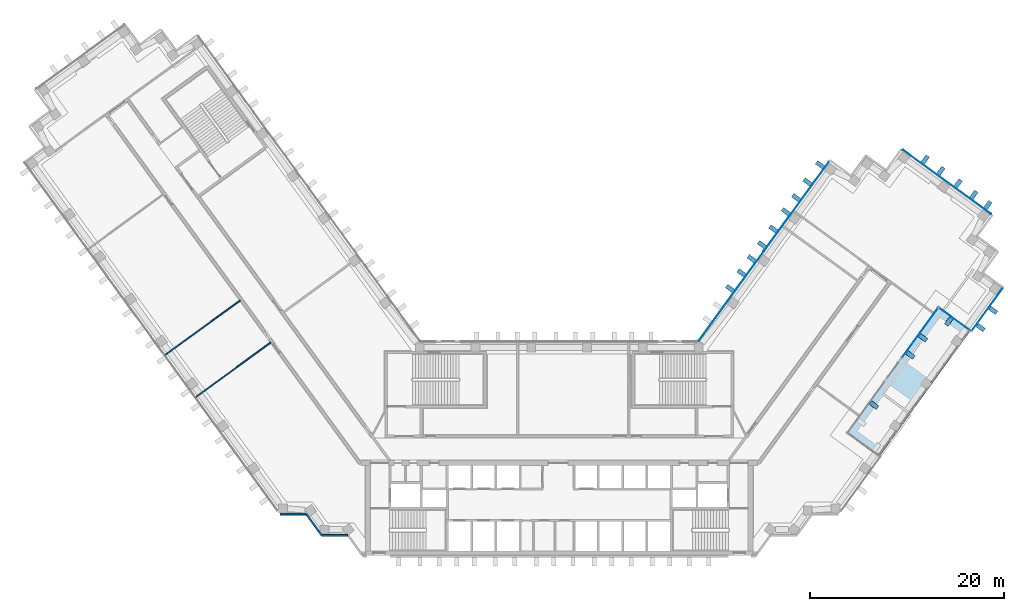
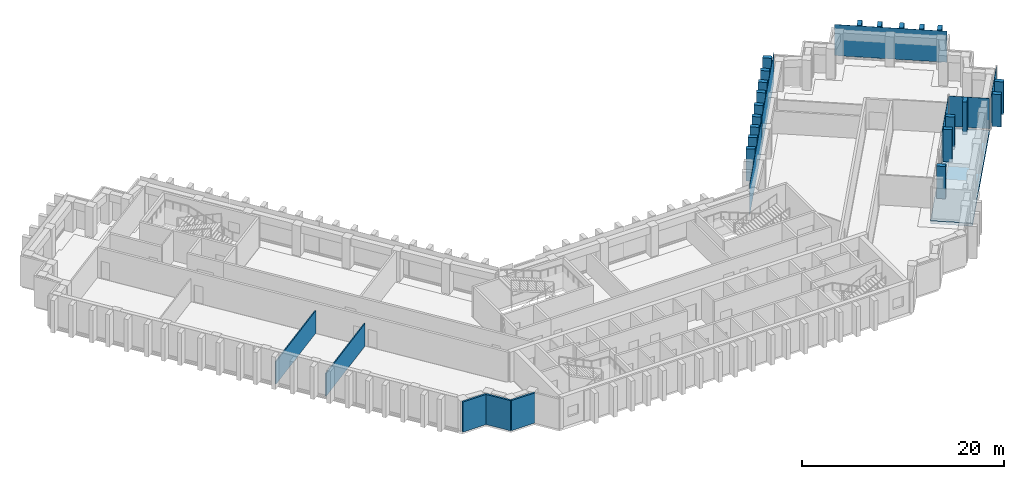
"""IFC4 building model written with IfcOpenShell, lengths in metres."""

from ifc_helpers import new_model, si_unit, direction, frame, frame_2d, origin, origin_2d, place, context, subcontext, project, spatial, polyline, rectangle, outline, extrude, material, layer, layer_set, type_object, element, aggregate, save


model = new_model("IFC4")

# Units and contexts
model_context = context("Model", 3, precision=1e-05, world=origin(), true_north=direction((0.0, 1.0)))
body_context = subcontext(model_context, "Body", "Model", "MODEL_VIEW")
ifc_project = project(units=[si_unit("LENGTHUNIT", "METRE"), si_unit("AREAUNIT", "SQUARE_METRE"), si_unit("VOLUMEUNIT", "CUBIC_METRE"), si_unit("PLANEANGLEUNIT", "RADIAN"), si_unit("MASSUNIT", "GRAM", prefix="KILO")], contexts=[model_context])

# Site, building, storey
site_placement = place(None, origin())
site = spatial("IfcSite", under=ifc_project, at=site_placement, CompositionType="ELEMENT")
building_placement = place(site_placement, origin())
building = spatial("IfcBuilding", under=site, at=building_placement, Name="Quipu Civic Tower", CompositionType="ELEMENT")
storey_1_placement = place(building_placement, frame((0.0, 0.0, 97.0)))
storey_1 = spatial("IfcBuildingStorey", under=building, at=storey_1_placement, Name="L22", CompositionType="ELEMENT", Elevation=97.0)

# Curtain wall, plate
ifc_material_1 = material(Name="Insulated glass unit", Category="glass")
curtain_wall_type = type_object("IfcCurtainWallType", Name="Office curtain wall CW1", PredefinedType="NOTDEFINED", material=ifc_material_1)
curtain_wall_1_placement = place(storey_1_placement, origin())
curtain_wall_1 = element("IfcCurtainWall", 1, at=curtain_wall_1_placement, inside=storey_1, type_object=curtain_wall_type, Name="Office curtain wall CW1 L22 run 5", PredefinedType="NOTDEFINED")
ifc_material_2 = material(Name="Insulated glass unit", Category="glass")
ifc_layer_1 = layer(ifc_material_2, 0.028076171875)
ifc_layer_set_1 = layer_set([ifc_layer_1], Name="Insulated glass unit")
plate_type_1 = type_object("IfcPlateType", Name="Glass panel CW1", PredefinedType="CURTAIN_PANEL", material=ifc_layer_set_1)
plate_1_placement = place(storey_1_placement, frame((37.244140625, 11.995849609375, 0.240234375), z_axis=(0.0, 0.0, 1.0), x_axis=(0.587778491936, 0.809021906018, 0.0)))
plate_1 = element("IfcPlate", 2, at=plate_1_placement, type_object=plate_type_1, Name="CW1 panel 1.1", PredefinedType="CURTAIN_PANEL", context=body_context, shape_type="SweptSolid", body=[
    extrude(rectangle(XDim=6.358642578125, YDim=0.028076171875, at=origin_2d()), origin(), (0.0, 0.0, 1.0), 3.679931640625),
])
aggregate(curtain_wall_1, [plate_1])

curtain_wall_2_placement = place(storey_1_placement, origin())
curtain_wall_2 = element("IfcCurtainWall", 3, at=curtain_wall_2_placement, inside=storey_1, type_object=curtain_wall_type, Name="Office curtain wall CW1 L22 run 6", PredefinedType="NOTDEFINED")
plate_2_placement = place(storey_1_placement, frame((40.85888671875, 13.398193359375, 0.240234375), z_axis=(0.0, 0.0, 1.0), x_axis=(0.809019129244, -0.587782313886, 0.0)))
plate_2 = element("IfcPlate", 4, at=plate_2_placement, type_object=plate_type_1, Name="CW1 panel 1.1", PredefinedType="CURTAIN_PANEL", context=body_context, shape_type="SweptSolid", body=[
    extrude(rectangle(XDim=4.0400390625, YDim=0.028076171875, at=origin_2d()), origin(), (0.0, 0.0, 1.0), 3.679931640625),
])
aggregate(curtain_wall_2, [plate_2])

curtain_wall_3_placement = place(storey_1_placement, origin())
curtain_wall_3 = element("IfcCurtainWall", 5, at=curtain_wall_3_placement, inside=storey_1, type_object=curtain_wall_type, Name="Office curtain wall CW1 L22 run 7", PredefinedType="NOTDEFINED")
plate_3_placement = place(storey_1_placement, frame((44.20361328125, 14.42919921875, 0.240234375), z_axis=(0.0, 0.0, 1.0), x_axis=(0.587793636059, 0.809010903145, 0.0)))
plate_3 = element("IfcPlate", 6, at=plate_3_placement, type_object=plate_type_1, Name="CW1 panel 1.1", PredefinedType="CURTAIN_PANEL", context=body_context, shape_type="SweptSolid", body=[
    extrude(rectangle(XDim=5.43994140625, YDim=0.028076171875, at=origin_2d()), origin(), (0.0, 0.0, 1.0), 3.679931640625),
])
aggregate(curtain_wall_3, [plate_3])

# Storey
storey_2_placement = place(building_placement, frame((0.0, 0.0, 101.0)))
storey_2 = spatial("IfcBuildingStorey", under=building, at=storey_2_placement, Name="L23", CompositionType="ELEMENT", Elevation=101.0)

# Curtain wall, plate
curtain_wall_4_placement = place(storey_2_placement, origin())
curtain_wall_4 = element("IfcCurtainWall", 7, at=curtain_wall_4_placement, inside=storey_2, type_object=curtain_wall_type, Name="Office curtain wall CW1 L22 run 31", PredefinedType="NOTDEFINED")
plate_4_placement = place(storey_1_placement, frame((40.04345703125, 27.58740234375, 0.240234375), z_axis=(0.0, 0.0, 1.0), x_axis=(-0.809015176832, 0.587787753918, 0.0)))
plate_4 = element("IfcPlate", 8, at=plate_4_placement, inside=storey_1, type_object=plate_type_1, Name="CW1 panel 1.1", PredefinedType="CURTAIN_PANEL", context=body_context, shape_type="SweptSolid", body=[
    extrude(rectangle(XDim=11.239990234375, YDim=0.028076171875, at=origin_2d()), origin(), (0.0, 0.0, 1.0), 3.760009765625),
])
aggregate(curtain_wall_4, [plate_4])

# Curtain wall, plates
curtain_wall_5_placement = place(storey_2_placement, origin())
curtain_wall_5 = element("IfcCurtainWall", 9, at=curtain_wall_5_placement, inside=storey_2, type_object=curtain_wall_type, Name="Office curtain wall CW1 L22 run 36", PredefinedType="NOTDEFINED")
plate_5_placement = place(storey_1_placement, frame((24.491455078125, 25.066162109375, 0.240234375), z_axis=(0.0, 0.0, 1.0), x_axis=(-0.587788727052, -0.809014469803, 0.0)))
plate_5 = element("IfcPlate", 10, at=plate_5_placement, inside=storey_1, type_object=plate_type_1, Name="CW1 panel 1.1", PredefinedType="CURTAIN_PANEL", context=body_context, shape_type="SweptSolid", body=[
    extrude(rectangle(XDim=11.402099609375, YDim=0.028076171875, at=origin_2d()), origin(), (0.0, 0.0, 1.0), 3.760009765625),
])
plate_6_placement = place(storey_1_placement, frame((17.7421875, 15.777099609375, 0.240234375), z_axis=(0.0, 0.0, 1.0), x_axis=(-0.587788727052, -0.809014469803, 0.0)))
plate_6 = element("IfcPlate", 11, at=plate_6_placement, inside=storey_1, type_object=plate_type_1, Name="CW1 panel 2.1", PredefinedType="CURTAIN_PANEL", context=body_context, shape_type="SweptSolid", body=[
    extrude(rectangle(XDim=11.402099609375, YDim=0.028076171875, at=origin_2d()), origin(), (0.0, 0.0, 1.0), 3.760009765625),
])
aggregate(curtain_wall_5, [plate_5, plate_6])

# Plates
ifc_material_3 = material(Name="Precast concrete C40/50", Category="concrete")
plate_type_2 = type_object("IfcPlateType", Name="Precast fin F1", PredefinedType="SHEET", material=ifc_material_3)
for number, where, z_axis, x_axis, name in (
    (12, (32.507568359375, 4.54052734375, 0.080078125), (0.0, 0.0, 1.0), (0.587783675566, 0.809018139931, 0.0), "Precast fin F1 L22.3.2"),
    (13, (36.269287109375, 9.718017578125, 0.080078125), (0.0, 0.0, 1.0), (0.587783675566, 0.809018139931, 0.0), "Precast fin F1 L22.5.1"),
    (14, (37.562255859375, 11.497802734375, 0.080078125), (0.0, 0.0, 1.0), (0.587783675566, 0.809018139931, 0.0), "Precast fin F1 L22.5.2"),
    (15, (40.232421875, 13.173828125, 0.080078125), (0.0, 0.0, 1.0), (0.809019129244, -0.587782313886, 0.0), "Precast fin F1 L22.6.1"),
    (16, (43.51708984375, 12.548583984375, 0.080078125), (0.0, 0.0, 1.0), (0.587788441518, 0.809014677257, 0.0), "Precast fin F1 L22.7.1"),
    (17, (44.810302734375, 14.328369140625, 0.080078125), (0.0, 0.0, 1.0), (0.587788441518, 0.809014677257, 0.0), "Precast fin F1 L22.7.2"),
    (18, (44.270263671875, 25.1962890625, 0.080078125), (0.0, 0.0, 1.0), (-0.809017072762, 0.587785144401, 0.0), "Precast fin F1 L22.31.1"),
    (19, (42.81396484375, 26.25439453125, 0.080078125), (0.0, 0.0, 1.0), (-0.809017072762, 0.587785144401, 0.0), "Precast fin F1 L22.31.2"),
    (20, (41.196044921875, 27.429931640625, 0.080078125), (0.0, 0.0, 1.0), (-0.809017072762, 0.587785144401, 0.0), "Precast fin F1 L22.31.3"),
    (21, (39.416259765625, 28.72314453125, 0.080078125), (0.0, 0.0, 1.0), (-0.809017072762, 0.587785144401, 0.0), "Precast fin F1 L22.31.4"),
    (22, (37.798095703125, 29.898681640625, 0.080078125), (0.0, 0.0, 1.0), (-0.809017072762, 0.587785144401, 0.0), "Precast fin F1 L22.31.5"),
    (23, (26.93017578125, 29.358642578125, 0.080078125), (0.0, 0.0, 1.0), (-0.587787133119, -0.809015627871, 0.0), "Precast fin F1 L22.36.1"),
    (24, (25.636962890625, 27.578857421875, 0.080078125), (0.0, 0.0, 1.0), (-0.587787133119, -0.809015627871, 0.0), "Precast fin F1 L22.36.2"),
    (25, (24.46142578125, 25.960693359375, 0.080078125), (0.0, 0.0, 1.0), (-0.587787133119, -0.809015627871, 0.0), "Precast fin F1 L22.36.3"),
    (26, (23.4033203125, 24.50439453125, 0.080078125), (0.0, 0.0, 1.0), (-0.587787133119, -0.809015627871, 0.0), "Precast fin F1 L22.36.4"),
    (27, (22.1103515625, 22.724609375, 0.080078125), (0.0, 0.0, 1.0), (-0.587787133119, -0.809015627871, 0.0), "Precast fin F1 L22.36.5"),
    (28, (20.9345703125, 21.106689453125, 0.080078125), (0.0, 0.0, 1.0), (-0.587787133119, -0.809015627871, 0.0), "Precast fin F1 L22.36.6"),
    (29, (19.876708984375, 19.650390625, 0.080078125), (0.0, 0.0, 1.0), (-0.587787133119, -0.809015627871, 0.0), "Precast fin F1 L22.36.7"),
    (30, (18.818603515625, 18.194091796875, 0.080078125), (0.0, 0.0, 1.0), (-0.587787133119, -0.809015627871, 0.0), "Precast fin F1 L22.36.8"),
    (31, (17.64306640625, 16.576171875, 0.080078125), (0.0, 0.0, 1.0), (-0.587787133119, -0.809015627871, 0.0), "Precast fin F1 L22.36.9"),
):
    element("IfcPlate", number, at=place(storey_1_placement, frame(where, z_axis=z_axis, x_axis=x_axis)), inside=storey_1, type_object=plate_type_2, Name=name, PredefinedType="SHEET", context=body_context, shape_type="SweptSolid", body=[
        extrude(rectangle(XDim=0.449951171875, YDim=0.89990234375, at=origin_2d()), origin(), (0.0, 0.0, 1.0), 3.919921875),
    ])

# Slab
ifc_material_4 = material(Name="Concrete C40/50", Category="concrete")
ifc_layer_2 = layer(ifc_material_4, 0.35009765625)
ifc_layer_set_2 = layer_set([ifc_layer_2], Name="Concrete C40/50")
slab_type = type_object("IfcSlabType", Name="Terrace slab 350 C40/50", PredefinedType="FLOOR", material=ifc_layer_set_2)
slab_placement = place(storey_1_placement, frame((0.0, 0.0, -0.35009765625)))
element("IfcSlab", 32, at=slab_placement, inside=storey_1, type_object=slab_type, Name="Terrace slab L22", PredefinedType="FLOOR", context=body_context, shape_type="SweptSolid", body=[
    extrude(outline(polyline([(42.534912109375, 12.304931640625), (33.014892578125, -0.804931640625), (29.614990234375, 1.6650390625), (39.139892578125, 14.77001953125), (42.534912109375, 12.304931640625)])), origin(), (0.0, 0.0, 1.0), 0.35009765625),
])

# Walls
ifc_material_5 = material(Name="Gypsum plasterboard on light gauge framing")
ifc_layer_3 = layer(ifc_material_5, 0.1201171875)
ifc_layer_set_3 = layer_set([ifc_layer_3], Name="Gypsum plasterboard on light gauge framing")
wall_type_1 = type_object("IfcWallType", Name="Partition 120 plasterboard", PredefinedType="PARTITIONING", material=ifc_layer_set_3)
wall_1_placement = place(storey_1_placement, frame((-32.943115234375, 15.348876953125, 0.0), z_axis=(0.0, 0.0, 1.0), x_axis=(-0.80903787798, -0.587756507402, 0.0)))
element("IfcWall", 33, at=wall_1_placement, inside=storey_1, type_object=wall_type_1, Name="Partition P10", PredefinedType="PARTITIONING", context=body_context, shape_type="SweptSolid", body=[
    extrude(rectangle(XDim=9.651611328125, YDim=0.1201171875, at=frame_2d((4.82568359375, 0.0))), origin(), (0.0, 0.0, 1.0), 2.75),
])
wall_2_placement = place(storey_1_placement, frame((-37.506103515625, 5.380615234375, 0.0), z_axis=(0.0, 0.0, 1.0), x_axis=(0.807645841498, 0.589667868135, 0.0)))
element("IfcWall", 34, at=wall_2_placement, inside=storey_1, type_object=wall_type_1, Name="Partition P11", PredefinedType="PARTITIONING", context=body_context, shape_type="SweptSolid", body=[
    extrude(rectangle(XDim=9.550537109375, YDim=0.1201171875, at=frame_2d((4.775390625, 0.0))), origin(), (0.0, 0.0, 1.0), 2.75),
])
ifc_material_6 = material(Name="Precast concrete C40/50", Category="concrete")
wall_type_2 = type_object("IfcWallType", Name="Precast cladding wall", PredefinedType="SOLIDWALL", material=ifc_material_6)
wall_3_placement = place(storey_1_placement, frame((-28.829833984375, -6.71923828125, 0.0), z_axis=(0.0, 0.0, 1.0), x_axis=(1.0, 0.0, 0.0)))
element("IfcWall", 35, at=wall_3_placement, inside=storey_1, type_object=wall_type_2, Name="Precast cladding wall L22 21", PredefinedType="SOLIDWALL", context=body_context, shape_type="SweptSolid", body=[
    extrude(rectangle(XDim=2.699951171875, YDim=0.199951171875, at=frame_2d((1.35009765625, 0.0))), origin(), (0.0, 0.0, 1.0), 3.64990234375),
])
wall_4_placement = place(storey_1_placement, frame((-26.1201171875, -6.72412109375, 0.0), z_axis=(0.0, 0.0, 1.0), x_axis=(0.587720002413, -0.809064397168, 0.0)))
element("IfcWall", 36, at=wall_4_placement, inside=storey_1, type_object=wall_type_2, Name="Precast cladding wall L22 22", PredefinedType="SOLIDWALL", context=body_context, shape_type="SweptSolid", body=[
    extrude(rectangle(XDim=2.7001953125, YDim=0.199951171875, at=frame_2d((1.35009765625, 0.0))), origin(), (0.0, 0.0, 1.0), 3.64990234375),
])
wall_5_placement = place(storey_1_placement, frame((-24.542724609375, -8.90380859375, 0.0), z_axis=(0.0, 0.0, 1.0), x_axis=(1.0, 0.0, 0.0)))
element("IfcWall", 37, at=wall_5_placement, inside=storey_1, type_object=wall_type_2, Name="Precast cladding wall L22 23", PredefinedType="SOLIDWALL", context=body_context, shape_type="SweptSolid", body=[
    extrude(rectangle(XDim=2.699951171875, YDim=0.199951171875, at=frame_2d((1.35009765625, 0.0))), origin(), (0.0, 0.0, 1.0), 3.64990234375),
])

save(model, "model.ifc")
